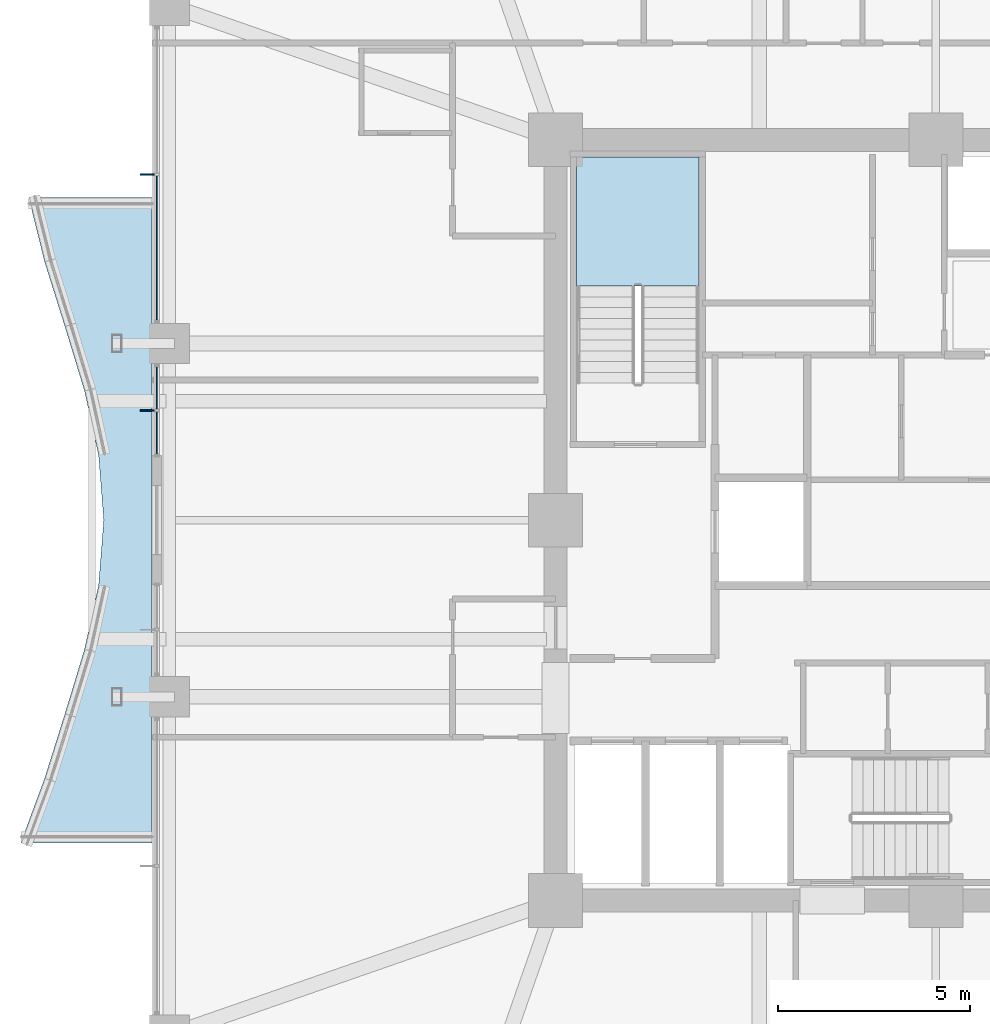
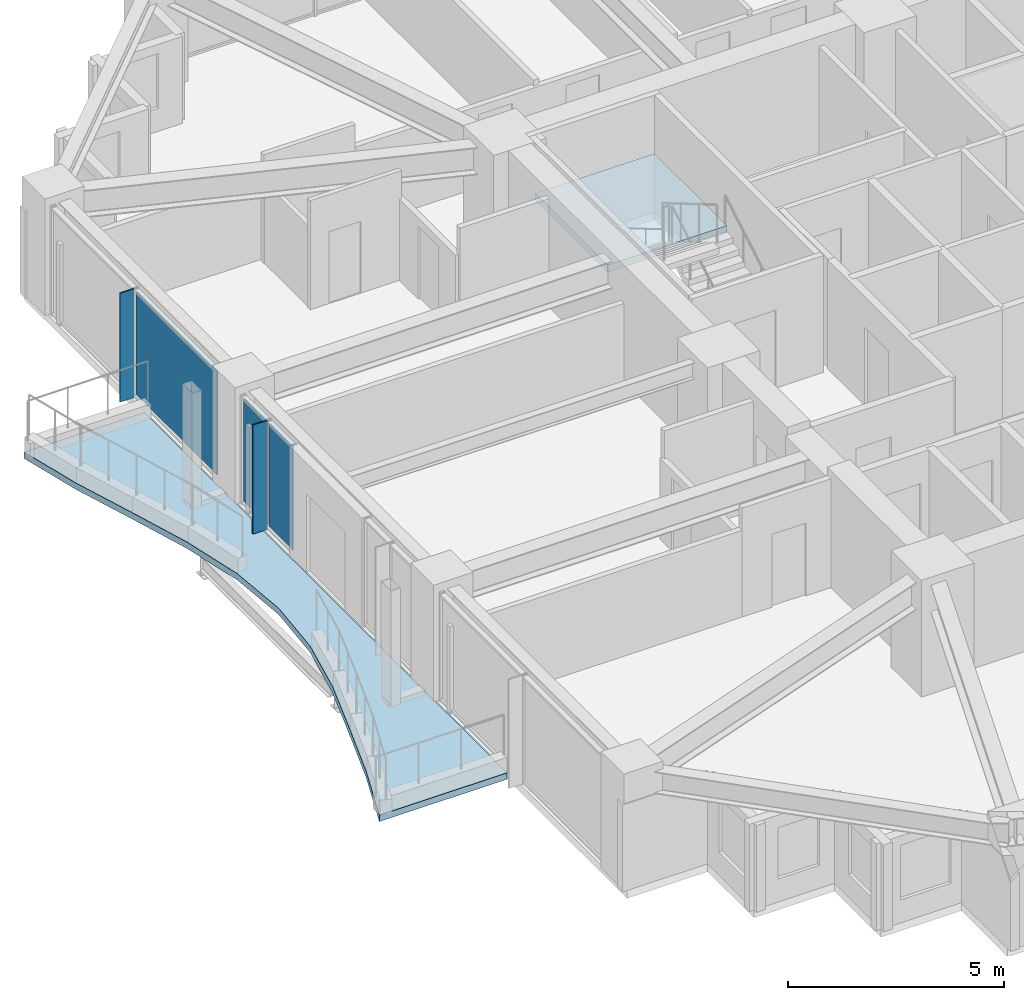
# One storey, part 26 of 37: 5 plates, 2 slabs, 3 elements without a shape of their own.
"""IFC4 building model written with IfcOpenShell, lengths in metres."""

from ifc_helpers import new_model, si_unit, direction, frame, origin, origin_2d, place, context, subcontext, project, spatial, polyline, rectangle, outline, extrude, material, layer, layer_set, type_object, element, aggregate, save


model = new_model("IFC4")

# Units and contexts
model_context = context("Model", 3, precision=1e-05, world=origin(), true_north=direction((0.0, 1.0)))
body_context = subcontext(model_context, "Body", "Model", "MODEL_VIEW")
ifc_project = project(units=[si_unit("LENGTHUNIT", "METRE"), si_unit("AREAUNIT", "SQUARE_METRE"), si_unit("VOLUMEUNIT", "CUBIC_METRE"), si_unit("PLANEANGLEUNIT", "RADIAN"), si_unit("MASSUNIT", "GRAM", prefix="KILO")], contexts=[model_context])

# Site, building, storey
site_placement = place(None, origin())
site = spatial("IfcSite", under=ifc_project, at=site_placement, CompositionType="ELEMENT")
building_placement = place(site_placement, origin())
building = spatial("IfcBuilding", under=site, at=building_placement, Name="Kolvaren Belvedere", CompositionType="ELEMENT")
storey_placement = place(building_placement, frame((0.0, 0.0, 82.10009765625)))
storey = spatial("IfcBuildingStorey", under=building, at=storey_placement, Name="L23", CompositionType="ELEMENT", Elevation=82.10009765625)

# Curtain wall, plates
ifc_material_1 = material(Name="Anodised pale-metal aluminium AA 6063-T6", Category="aluminium")
curtain_wall_type = type_object("IfcCurtainWallType", Name="CW-Z2-MID", PredefinedType="NOTDEFINED", material=ifc_material_1)
curtain_wall_1_placement = place(storey_placement, origin())
curtain_wall_1 = element("IfcCurtainWall", 1, at=curtain_wall_1_placement, inside=storey, type_object=curtain_wall_type, Name="L23 Unitised Curtain Wall FCW-L23-W2-B1", PredefinedType="NOTDEFINED")
ifc_material_2 = material(Name="Low-iron triple insulated glass", Category="glass")
ifc_layer_1 = layer(ifc_material_2, 0.028076171875)
ifc_layer_set_1 = layer_set([ifc_layer_1], Name="Low-iron triple insulated glass")
plate_type_1 = type_object("IfcPlateType", Name="CW-PNL-VIS28", PredefinedType="CURTAIN_PANEL", material=ifc_layer_set_1)
plate_1_placement = place(storey_placement, frame((-20.280029296875, 2.265625, 0.079833984375), z_axis=(0.0, 0.0, 1.0), x_axis=(0.0, 1.0, 0.0)))
plate_1 = element("IfcPlate", 2, at=plate_1_placement, type_object=plate_type_1, Name="FCW-L23-W2-B1 Vision Glazing Panel 1", PredefinedType="CURTAIN_PANEL", context=body_context, shape_type="SweptSolid", body=[
    extrude(rectangle(XDim=1.09130859375, YDim=0.028076171875, at=origin_2d()), origin(), (0.0, 0.0, 1.0), 2.919921875),
])
plate_2_placement = place(storey_placement, frame((-20.280029296875, 3.43701171875, 0.079833984375), z_axis=(0.0, 0.0, 1.0), x_axis=(0.0, 1.0, 0.0)))
plate_2 = element("IfcPlate", 3, at=plate_2_placement, type_object=plate_type_1, Name="FCW-L23-W2-B1 Vision Glazing Panel 2", PredefinedType="CURTAIN_PANEL", context=body_context, shape_type="SweptSolid", body=[
    extrude(rectangle(XDim=1.09130859375, YDim=0.028076171875, at=origin_2d()), origin(), (0.0, 0.0, 1.0), 2.919921875),
])
aggregate(curtain_wall_1, [plate_1, plate_2])

# Curtain wall, plate
curtain_wall_2_placement = place(storey_placement, origin())
curtain_wall_2 = element("IfcCurtainWall", 4, at=curtain_wall_2_placement, inside=storey, type_object=curtain_wall_type, Name="L23 Unitised Curtain Wall FCW-L23-W2-B2", PredefinedType="NOTDEFINED")
plate_3_placement = place(storey_placement, frame((-20.280029296875, 7.0888671875, 0.079833984375), z_axis=(0.0, 0.0, 1.0), x_axis=(0.0, 1.0, 0.0)))
plate_3 = element("IfcPlate", 5, at=plate_3_placement, type_object=plate_type_1, Name="FCW-L23-W2-B2 Vision Glazing Panel 1", PredefinedType="CURTAIN_PANEL", context=body_context, shape_type="SweptSolid", body=[
    extrude(rectangle(XDim=3.742431640625, YDim=0.028076171875, at=origin_2d()), origin(), (0.0, 0.0, 1.0), 2.919921875),
])
aggregate(curtain_wall_2, [plate_3])

# Plates
ifc_material_3 = material(Name="Anodised pale-metal aluminium AA 6063-T6", Category="aluminium")
ifc_layer_2 = layer(ifc_material_3, 0.033935546875)
ifc_layer_set_2 = layer_set([ifc_layer_2], Name="Anodised pale-metal aluminium AA 6063-T6")
plate_type_2 = type_object("IfcPlateType", Name="FIN-VERT-380", PredefinedType="USERDEFINED", material=ifc_layer_set_2)
for number, where, z_axis, x_axis, name in (
    (6, (-20.52490234375, 2.851318359375, -0.000244140625), (0.0, 0.0, 1.0), (1.0, 0.0, 0.0), "L23 Pale-Metal Vertical Shading Fin FCW-L23-W2-B1-1"),
    (7, (-20.52490234375, 9.0, -0.000244140625), (0.0, 0.0, 1.0), (1.0, 0.0, 0.0), "L23 Pale-Metal Vertical Shading Fin FCW-L23-W2-B2-1"),
):
    element("IfcPlate", number, at=place(storey_placement, frame(where, z_axis=z_axis, x_axis=x_axis)), inside=storey, type_object=plate_type_2, Name=name, ObjectType="VERTICAL FIN", PredefinedType="USERDEFINED", context=body_context, shape_type="SweptSolid", body=[
        extrude(rectangle(XDim=0.3798828125, YDim=0.033935546875, at=origin_2d()), origin(), (0.0, 0.0, 1.0), 3.080078125),
    ])

# Slab
ifc_material_4 = material(Name="Concrete C50/60", Category="concrete")
ifc_layer_3 = layer(ifc_material_4, 0.179931640625)
ifc_layer_set_3 = layer_set([ifc_layer_3], Name="Concrete C50/60")
slab_type_1 = type_object("IfcSlabType", Name="SL-BAL-180", PredefinedType="FLOOR", material=ifc_layer_set_3)
slab_1_placement = place(storey_placement, frame((0.0, 0.0, -0.22021484375)))
element("IfcSlab", 8, at=slab_1_placement, inside=storey, type_object=slab_type_1, Name="L23 Planted Balcony BAL-W", PredefinedType="FLOOR", context=body_context, shape_type="SweptSolid", body=[
    extrude(outline(polyline([(-23.61376953125, 8.39990234375), (-23.19970703125, 6.719970703125), (-22.672119140625, 5.0400390625), (-22.161376953125, 3.360107421875), (-21.793701171875, 1.679931640625), (-21.659912109375, 0.0), (-21.793701171875, -1.679931640625), (-22.161376953125, -3.360107421875), (-22.672119140625, -5.0400390625), (-23.19970703125, -6.719970703125), (-23.820068359375, -8.39990234375), (-20.39990234375, -8.39990234375), (-20.39990234375, -6.719970703125), (-20.39990234375, -5.0400390625), (-20.39990234375, -3.360107421875), (-20.39990234375, -1.679931640625), (-20.39990234375, 0.0), (-20.39990234375, 1.679931640625), (-20.39990234375, 3.360107421875), (-20.39990234375, 5.0400390625), (-20.39990234375, 6.719970703125), (-20.39990234375, 8.39990234375), (-23.61376953125, 8.39990234375)])), origin(), (0.0, 0.0, 1.0), 0.18017578125),
])

# Stair, slab
ifc_material_5 = material(Name="Concrete C50/60", Category="concrete")
stair_type = type_object("IfcStairType", Name="ST-CORE-1520", PredefinedType="HALF_TURN_STAIR", material=ifc_material_5)
stair_placement = place(storey_placement, origin())
stair = element("IfcStair", 9, at=stair_placement, inside=storey, type_object=stair_type, Name="L23 Protected Exit Stair ST-1", PredefinedType="HALF_TURN_STAIR")
ifc_material_6 = material(Name="Concrete C50/60", Category="concrete")
ifc_layer_4 = layer(ifc_material_6, 0.260009765625)
ifc_layer_set_4 = layer_set([ifc_layer_4], Name="Concrete C50/60")
slab_type_2 = type_object("IfcSlabType", Name="SL-LAND-260", PredefinedType="LANDING", material=ifc_layer_set_4)
slab_2_placement = place(storey_placement, frame((0.0, 0.0, 1.449951171875)))
slab_2 = element("IfcSlab", 10, at=slab_2_placement, type_object=slab_type_2, Name="ST-1 landing 1", PredefinedType="LANDING", context=body_context, shape_type="SweptSolid", body=[
    extrude(outline(polyline([(-6.159912109375, 6.090087890625), (-6.159912109375, 9.449951171875), (-9.35009765625, 9.449951171875), (-9.35009765625, 6.090087890625), (-6.159912109375, 6.090087890625)])), origin(), (0.0, 0.0, 1.0), 0.199951171875),
])
aggregate(stair, [slab_2])

save(model, "model.ifc")
